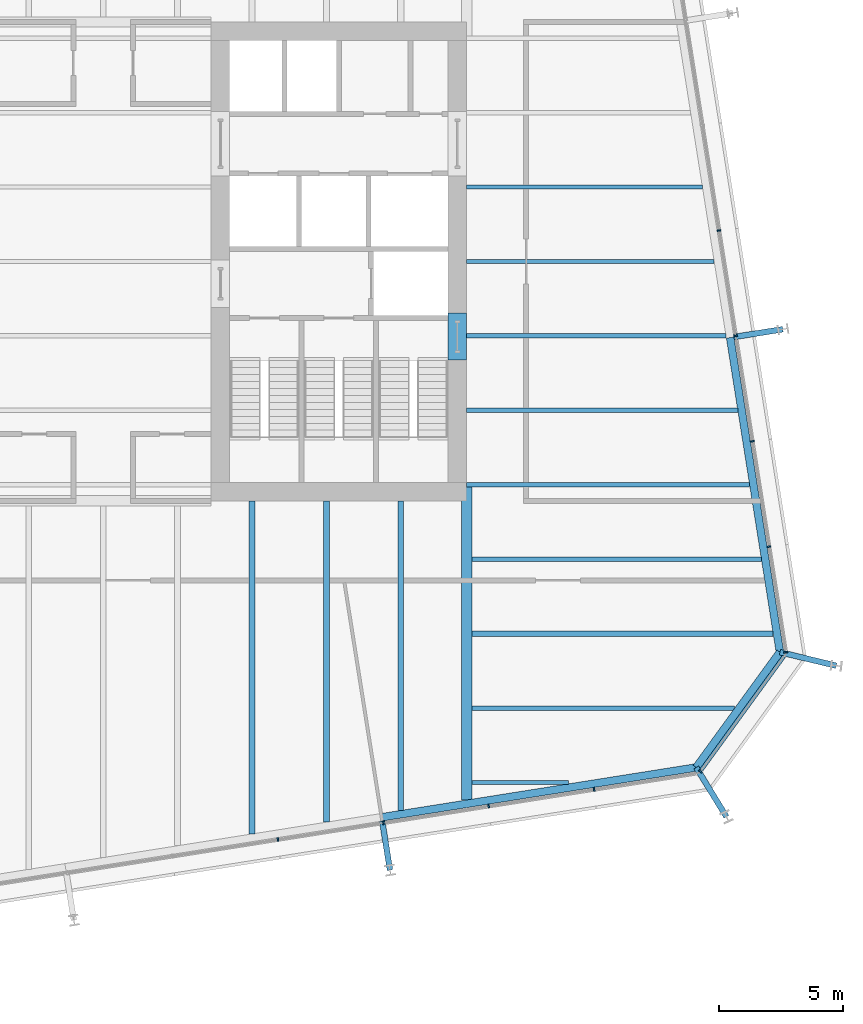
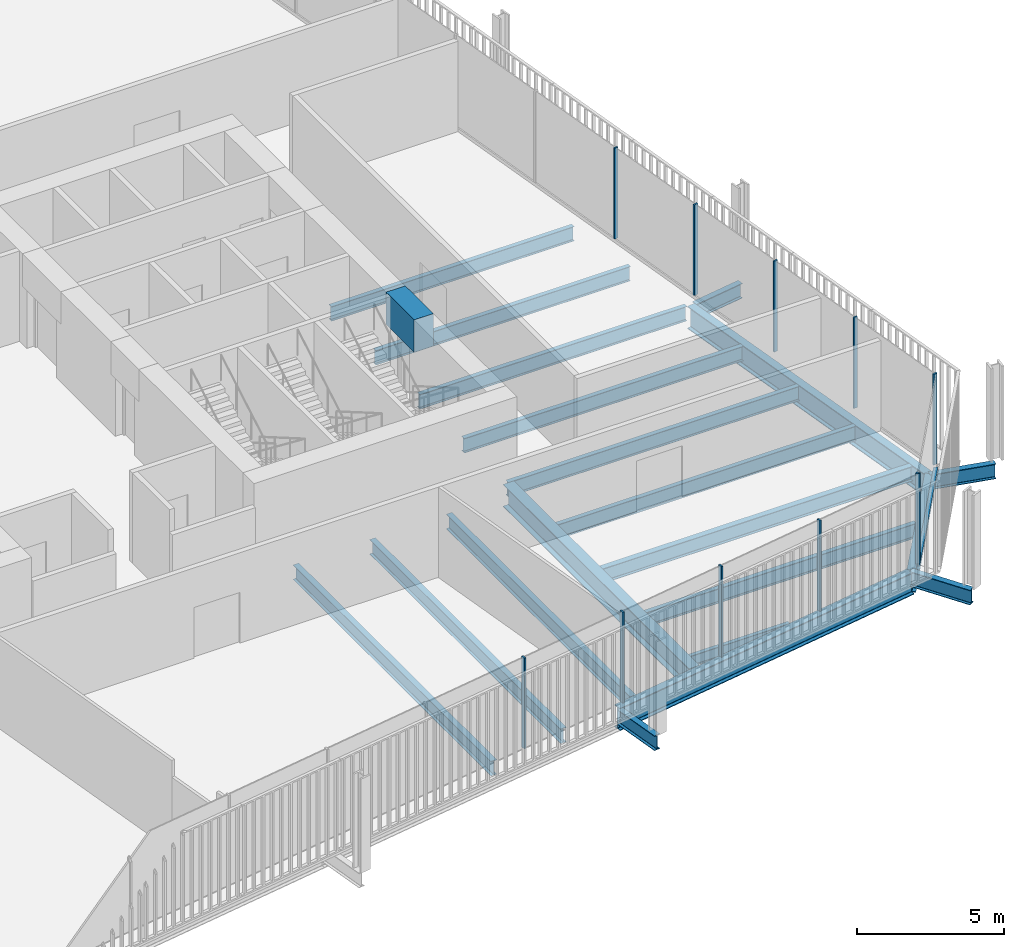
# One storey, part 8 of 21: 21 beams, 11 members, 3 elements without a shape of their own.
"""IFC4 building model written with IfcOpenShell, lengths in metres."""

from ifc_helpers import new_model, si_unit, direction, frame, origin, origin_2d, place, context, subcontext, project, spatial, rectangle, i_section, extrude, material, layer, layer_set, material_profile, profile_set, type_object, element, aggregate, save


model = new_model("IFC4")

# Units and contexts
model_context = context("Model", 3, precision=1e-05, world=origin(), true_north=direction((0.0, 1.0)))
body_context = subcontext(model_context, "Body", "Model", "MODEL_VIEW")
ifc_project = project(units=[si_unit("LENGTHUNIT", "METRE"), si_unit("AREAUNIT", "SQUARE_METRE"), si_unit("VOLUMEUNIT", "CUBIC_METRE"), si_unit("PLANEANGLEUNIT", "RADIAN"), si_unit("MASSUNIT", "GRAM", prefix="KILO")], contexts=[model_context])

# Site, building, storey
site_placement = place(None, origin())
site = spatial("IfcSite", under=ifc_project, at=site_placement, CompositionType="ELEMENT")
building_placement = place(site_placement, origin())
building = spatial("IfcBuilding", under=site, at=building_placement, Name="Millrace Tower", CompositionType="ELEMENT")
storey_placement = place(building_placement, frame((0.0, 0.0, 133.39990234375)))
storey = spatial("IfcBuildingStorey", under=building, at=storey_placement, Name="L29", CompositionType="ELEMENT", Elevation=133.39990234375)

# Curtain wall, members
ifc_material_1 = material(Name="Aluminium and glass", Category="aluminium")
ifc_layer = layer(ifc_material_1, 0.14990234375)
ifc_layer_set = layer_set([ifc_layer], Name="Aluminium and glass")
curtain_wall_type = type_object("IfcCurtainWallType", Name="CW-1 office vision curtain wall", PredefinedType="NOTDEFINED", material=ifc_layer_set)
placement = place(storey_placement, origin())
curtain_wall_1 = element("IfcCurtainWall", 1, at=placement, inside=storey, type_object=curtain_wall_type, Name="Curtain wall C-F02 L29", PredefinedType="NOTDEFINED")
ifc_material_2 = material(Name="Aluminium", Category="aluminium")
ifc_material_profile_1 = material_profile(ifc_material_2, rectangle(XDim=0.06494140625, YDim=0.14990234375, at=origin_2d()))
ifc_profile_set_1 = profile_set([ifc_material_profile_1], Name="Aluminium")
member_type_1 = type_object("IfcMemberType", Name="CW-1 office vision curtain wall mullion", PredefinedType="MULLION", material=ifc_profile_set_1)
member_1_placement = place(storey_placement, frame((7.04345703125, -23.293212890625, 0.14013671875), z_axis=(0.0, 0.0, 1.0), x_axis=(0.98768833929, 0.15643447328, 0.0)))
member_1 = element("IfcMember", 2, at=member_1_placement, type_object=member_type_1, Name="CW1 mullion C-F02.6", PredefinedType="MULLION", context=body_context, shape_type="SweptSolid", body=[
    extrude(rectangle(XDim=0.06494140625, YDim=0.14990234375, at=origin_2d()), origin(), (0.0, 0.0, 1.0), 3.760009765625),
])
member_2_placement = place(storey_placement, frame((11.29052734375, -22.62060546875, 0.14013671875), z_axis=(0.0, 0.0, 1.0), x_axis=(0.98768833929, 0.15643447328, 0.0)))
member_2 = element("IfcMember", 3, at=member_2_placement, type_object=member_type_1, Name="CW1 mullion C-F02.7", PredefinedType="MULLION", context=body_context, shape_type="SweptSolid", body=[
    extrude(rectangle(XDim=0.06494140625, YDim=0.14990234375, at=origin_2d()), origin(), (0.0, 0.0, 1.0), 3.760009765625),
])
member_3_placement = place(storey_placement, frame((15.53759765625, -21.947998046875, 0.14013671875), z_axis=(0.0, 0.0, 1.0), x_axis=(0.98768833929, 0.15643447328, 0.0)))
member_3 = element("IfcMember", 4, at=member_3_placement, type_object=member_type_1, Name="CW1 mullion C-F02.8", PredefinedType="MULLION", context=body_context, shape_type="SweptSolid", body=[
    extrude(rectangle(XDim=0.06494140625, YDim=0.14990234375, at=origin_2d()), origin(), (0.0, 0.0, 1.0), 3.760009765625),
])
member_4_placement = place(storey_placement, frame((19.78466796875, -21.275390625, 0.14013671875), z_axis=(0.0, 0.0, 1.0), x_axis=(0.98768833929, 0.15643447328, 0.0)))
member_4 = element("IfcMember", 5, at=member_4_placement, type_object=member_type_1, Name="CW1 mullion C-F02.9", PredefinedType="MULLION", context=body_context, shape_type="SweptSolid", body=[
    extrude(rectangle(XDim=0.06494140625, YDim=0.14990234375, at=origin_2d()), origin(), (0.0, 0.0, 1.0), 3.760009765625),
])
aggregate(curtain_wall_1, [member_1, member_2, member_3, member_4])

# Curtain wall, member
curtain_wall_2 = element("IfcCurtainWall", 6, at=placement, inside=storey, type_object=curtain_wall_type, Name="Curtain wall C-F03 L29", PredefinedType="NOTDEFINED")
member_5_placement = place(storey_placement, frame((24.06787109375, -20.551513671875, 0.14013671875), z_axis=(0.0, 0.0, 1.0), x_axis=(0.587785269844, 0.809016981623, 0.0)))
member_5 = element("IfcMember", 7, at=member_5_placement, type_object=member_type_1, Name="CW1 mullion C-F03.1", PredefinedType="MULLION", context=body_context, shape_type="SweptSolid", body=[
    extrude(rectangle(XDim=0.06494140625, YDim=0.14990234375, at=origin_2d()), origin(), (0.0, 0.0, 1.0), 3.760009765625),
])

# Curtain wall, members
curtain_wall_3 = element("IfcCurtainWall", 8, at=placement, inside=storey, type_object=curtain_wall_type, Name="Curtain wall C-F04 L29", PredefinedType="NOTDEFINED")
member_6_placement = place(storey_placement, frame((27.506591796875, -15.74169921875, 0.14013671875), z_axis=(0.0, 0.0, 1.0), x_axis=(-0.15643447328, 0.98768833929, 0.0)))
member_6 = element("IfcMember", 9, at=member_6_placement, type_object=member_type_1, Name="CW1 mullion C-F04.1", PredefinedType="MULLION", context=body_context, shape_type="SweptSolid", body=[
    extrude(rectangle(XDim=0.06494140625, YDim=0.14990234375, at=origin_2d()), origin(), (0.0, 0.0, 1.0), 3.760009765625),
])
member_7_placement = place(storey_placement, frame((26.833984375, -11.49462890625, 0.14013671875), z_axis=(0.0, 0.0, 1.0), x_axis=(-0.15643447328, 0.98768833929, 0.0)))
member_7 = element("IfcMember", 10, at=member_7_placement, type_object=member_type_1, Name="CW1 mullion C-F04.2", PredefinedType="MULLION", context=body_context, shape_type="SweptSolid", body=[
    extrude(rectangle(XDim=0.06494140625, YDim=0.14990234375, at=origin_2d()), origin(), (0.0, 0.0, 1.0), 3.760009765625),
])
member_8_placement = place(storey_placement, frame((26.161376953125, -7.24755859375, 0.14013671875), z_axis=(0.0, 0.0, 1.0), x_axis=(-0.15643447328, 0.98768833929, 0.0)))
member_8 = element("IfcMember", 11, at=member_8_placement, type_object=member_type_1, Name="CW1 mullion C-F04.3", PredefinedType="MULLION", context=body_context, shape_type="SweptSolid", body=[
    extrude(rectangle(XDim=0.06494140625, YDim=0.14990234375, at=origin_2d()), origin(), (0.0, 0.0, 1.0), 3.760009765625),
])
member_9_placement = place(storey_placement, frame((25.48876953125, -3.00048828125, 0.14013671875), z_axis=(0.0, 0.0, 1.0), x_axis=(-0.15643447328, 0.98768833929, 0.0)))
member_9 = element("IfcMember", 12, at=member_9_placement, type_object=member_type_1, Name="CW1 mullion C-F04.4", PredefinedType="MULLION", context=body_context, shape_type="SweptSolid", body=[
    extrude(rectangle(XDim=0.06494140625, YDim=0.14990234375, at=origin_2d()), origin(), (0.0, 0.0, 1.0), 3.760009765625),
])
member_10_placement = place(storey_placement, frame((24.81591796875, 1.24658203125, 0.14013671875), z_axis=(0.0, 0.0, 1.0), x_axis=(-0.15643447328, 0.98768833929, 0.0)))
member_10 = element("IfcMember", 13, at=member_10_placement, type_object=member_type_1, Name="CW1 mullion C-F04.5", PredefinedType="MULLION", context=body_context, shape_type="SweptSolid", body=[
    extrude(rectangle(XDim=0.06494140625, YDim=0.14990234375, at=origin_2d()), origin(), (0.0, 0.0, 1.0), 3.760009765625),
])
aggregate(curtain_wall_3, [member_6, member_7, member_8, member_9, member_10])

# Member
ifc_material_3 = material(Name="Aluminium", Category="aluminium")
ifc_material_profile_2 = material_profile(ifc_material_3, rectangle(XDim=0.14990234375, YDim=0.139892578125, at=origin_2d()))
ifc_profile_set_2 = profile_set([ifc_material_profile_2], Name="Aluminium")
member_type_2 = type_object("IfcMemberType", Name="CW-1 office vision curtain wall transom", PredefinedType="USERDEFINED", material=ifc_profile_set_2)
member_11_placement = place(storey_placement, frame((24.107421875, -20.496826171875, 0.070068359375), z_axis=(0.587810581339, 0.808998591139, 0.0), x_axis=(-0.808998591139, 0.587810581339, 0.0)))
member_11 = element("IfcMember", 14, at=member_11_placement, type_object=member_type_2, Name="CW1 transom C-F03.1", ObjectType="TRANSOM", PredefinedType="USERDEFINED", context=body_context, shape_type="SweptSolid", body=[
    extrude(rectangle(XDim=0.14990234375, YDim=0.139892578125, at=origin_2d()), origin(), (0.0, 0.0, 1.0), 5.6689453125),
])

aggregate(curtain_wall_2, [member_5, member_11])

# Beams
ifc_material_4 = material(Name="Concrete C70", Category="concrete")
ifc_material_profile_3 = material_profile(ifc_material_4, rectangle(XDim=0.75, YDim=1.340087890625, at=origin_2d()))
ifc_profile_set_3 = profile_set([ifc_material_profile_3], Name="Concrete C70")
beam_type_1 = type_object("IfcBeamType", Name="Coupling beam 750 x 1340 Concrete C70, 1300 opening", PredefinedType="BEAM", material=ifc_profile_set_3)
beam_1_placement = place(storey_placement, frame((14.27490234375, -2.080078125, 3.070068359375), z_axis=(0.0, -1.0, 0.0), x_axis=(1.0, 0.0, 0.0)))
element("IfcBeam", 15, at=beam_1_placement, inside=storey, type_object=beam_type_1, Name="Coupling beam E L29", PredefinedType="BEAM", context=body_context, shape_type="SweptSolid", body=[
    extrude(rectangle(XDim=0.75, YDim=1.340087890625, at=origin_2d()), origin(), (0.0, 0.0, 1.0), 1.89990234375),
])
ifc_material_5 = material(Name="Steel ASTM A992 Grade 50", Category="steel")
ifc_material_profile_4 = material_profile(ifc_material_5, i_section(OverallWidth=0.15234375, OverallDepth=0.449462890625, WebThickness=0.007568359375, FlangeThickness=0.0107421875, FilletRadius=0.01025390625, at=origin_2d()))
ifc_profile_set_4 = profile_set([ifc_material_profile_4], Name="Steel ASTM A992 Grade 50")
beam_type_2 = type_object("IfcBeamType", Name="Floor beam W18x35", PredefinedType="JOIST", material=ifc_profile_set_4)
beam_2_placement = place(storey_placement, frame((14.859619140625, -21.0, -0.384765625), z_axis=(1.0, 0.0, 0.0), x_axis=(0.0, 1.0, 0.0)))
element("IfcBeam", 16, at=beam_2_placement, inside=storey, type_object=beam_type_2, Name="BM-C-L29-S1-S003", PredefinedType="JOIST", context=body_context, shape_type="SweptSolid", body=[
    extrude(i_section(OverallWidth=0.15234375, OverallDepth=0.449462890625, WebThickness=0.007568359375, FlangeThickness=0.0107421875, FilletRadius=0.01025390625, at=origin_2d()), origin(), (0.0, 0.0, 1.0), 3.9033203125),
])
ifc_material_6 = material(Name="Steel ASTM A992 Grade 50", Category="steel")
ifc_material_profile_5 = material_profile(ifc_material_6, i_section(OverallWidth=0.177978515625, OverallDepth=0.599365234375, WebThickness=0.010009765625, FlangeThickness=0.012939453125, FilletRadius=0.012939453125, at=origin_2d()))
ifc_profile_set_5 = profile_set([ifc_material_profile_5], Name="Steel ASTM A992 Grade 50")
beam_type_3 = type_object("IfcBeamType", Name="Floor beam W24x55", PredefinedType="JOIST", material=ifc_profile_set_5)
beam_3_placement = place(storey_placement, frame((14.64990234375, 0.0, -0.459716796875), z_axis=(1.0, 0.0, 0.0), x_axis=(0.0, 1.0, 0.0)))
element("IfcBeam", 17, at=beam_3_placement, inside=storey, type_object=beam_type_3, Name="BM-C-L29-S1-S021", PredefinedType="JOIST", context=body_context, shape_type="SweptSolid", body=[
    extrude(i_section(OverallWidth=0.177978515625, OverallDepth=0.599365234375, WebThickness=0.010009765625, FlangeThickness=0.012939453125, FilletRadius=0.012939453125, at=origin_2d()), origin(), (0.0, 0.0, 1.0), 9.976318359375),
])
beam_4_placement = place(storey_placement, frame((14.64990234375, 3.0, -0.459716796875), z_axis=(1.0, 0.0, 0.0), x_axis=(0.0, 1.0, 0.0)))
element("IfcBeam", 18, at=beam_4_placement, inside=storey, type_object=beam_type_3, Name="BM-C-L29-S1-S024", PredefinedType="JOIST", context=body_context, shape_type="SweptSolid", body=[
    extrude(i_section(OverallWidth=0.177978515625, OverallDepth=0.599365234375, WebThickness=0.010009765625, FlangeThickness=0.012939453125, FilletRadius=0.012939453125, at=origin_2d()), origin(), (0.0, 0.0, 1.0), 9.501220703125),
])
ifc_material_7 = material(Name="Steel ASTM A992 Grade 50", Category="steel")
ifc_material_profile_6 = material_profile(ifc_material_7, i_section(OverallWidth=0.1787109375, OverallDepth=0.60205078125, WebThickness=0.010986328125, FlangeThickness=0.014892578125, FilletRadius=0.0126953125, at=origin_2d()))
ifc_profile_set_6 = profile_set([ifc_material_profile_6], Name="Steel ASTM A992 Grade 50")
beam_type_4 = type_object("IfcBeamType", Name="Floor beam W24x62", PredefinedType="JOIST", material=ifc_profile_set_6)
beam_5_placement = place(storey_placement, frame((14.859619140625, -12.0, -0.4609375), z_axis=(1.0, 0.0, 0.0), x_axis=(0.0, 1.0, 0.0)))
element("IfcBeam", 19, at=beam_5_placement, inside=storey, type_object=beam_type_4, Name="BM-C-L29-S1-S009", PredefinedType="JOIST", context=body_context, shape_type="SweptSolid", body=[
    extrude(i_section(OverallWidth=0.1787109375, OverallDepth=0.60205078125, WebThickness=0.010986328125, FlangeThickness=0.014892578125, FilletRadius=0.0126953125, at=origin_2d()), origin(), (0.0, 0.0, 1.0), 11.667236328125),
])
beam_6_placement = place(storey_placement, frame((14.64990234375, -9.0, -0.4609375), z_axis=(1.0, 0.0, 0.0), x_axis=(0.0, 1.0, 0.0)))
element("IfcBeam", 20, at=beam_6_placement, inside=storey, type_object=beam_type_4, Name="BM-C-L29-S1-S012", PredefinedType="JOIST", context=body_context, shape_type="SweptSolid", body=[
    extrude(i_section(OverallWidth=0.1787109375, OverallDepth=0.60205078125, WebThickness=0.010986328125, FlangeThickness=0.014892578125, FilletRadius=0.0126953125, at=origin_2d()), origin(), (0.0, 0.0, 1.0), 11.40185546875),
])
beam_7_placement = place(storey_placement, frame((14.64990234375, -6.0, -0.4609375), z_axis=(1.0, 0.0, 0.0), x_axis=(0.0, 1.0, 0.0)))
element("IfcBeam", 21, at=beam_7_placement, inside=storey, type_object=beam_type_4, Name="BM-C-L29-S1-S015", PredefinedType="JOIST", context=body_context, shape_type="SweptSolid", body=[
    extrude(i_section(OverallWidth=0.1787109375, OverallDepth=0.60205078125, WebThickness=0.010986328125, FlangeThickness=0.014892578125, FilletRadius=0.0126953125, at=origin_2d()), origin(), (0.0, 0.0, 1.0), 10.9267578125),
])
beam_8_placement = place(storey_placement, frame((14.64990234375, -3.0, -0.4609375), z_axis=(1.0, 0.0, 0.0), x_axis=(0.0, 1.0, 0.0)))
element("IfcBeam", 22, at=beam_8_placement, inside=storey, type_object=beam_type_4, Name="BM-C-L29-S1-S018", PredefinedType="JOIST", context=body_context, shape_type="SweptSolid", body=[
    extrude(i_section(OverallWidth=0.1787109375, OverallDepth=0.60205078125, WebThickness=0.010986328125, FlangeThickness=0.014892578125, FilletRadius=0.0126953125, at=origin_2d()), origin(), (0.0, 0.0, 1.0), 10.45166015625),
])
beam_9_placement = place(storey_placement, frame((14.859619140625, -18.0, -0.4609375), z_axis=(1.0, 0.0, 0.0), x_axis=(0.0, 1.0, 0.0)))
element("IfcBeam", 23, at=beam_9_placement, inside=storey, type_object=beam_type_4, Name="BM-C-L29-S1-S005", PredefinedType="JOIST", context=body_context, shape_type="SweptSolid", body=[
    extrude(i_section(OverallWidth=0.1787109375, OverallDepth=0.60205078125, WebThickness=0.010986328125, FlangeThickness=0.014892578125, FilletRadius=0.0126953125, at=origin_2d()), origin(), (0.0, 0.0, 1.0), 10.577392578125),
])
ifc_material_8 = material(Name="Steel ASTM A992 Grade 50", Category="steel")
ifc_material_profile_7 = material_profile(ifc_material_8, i_section(OverallWidth=0.228271484375, OverallDepth=0.607177734375, WebThickness=0.01123046875, FlangeThickness=0.017333984375, FilletRadius=0.0126953125, at=origin_2d()))
ifc_profile_set_7 = profile_set([ifc_material_profile_7], Name="Steel ASTM A992 Grade 50")
beam_type_5 = type_object("IfcBeamType", Name="Floor beam W24x76", PredefinedType="JOIST", material=ifc_profile_set_7)
beam_10_placement = place(storey_placement, frame((14.859619140625, -15.0, -0.46337890625), z_axis=(1.0, 0.0, 0.0), x_axis=(0.0, 1.0, 0.0)))
element("IfcBeam", 24, at=beam_10_placement, inside=storey, type_object=beam_type_5, Name="BM-C-L29-S1-S007", PredefinedType="JOIST", context=body_context, shape_type="SweptSolid", body=[
    extrude(i_section(OverallWidth=0.228271484375, OverallDepth=0.607177734375, WebThickness=0.01123046875, FlangeThickness=0.017333984375, FilletRadius=0.0126953125, at=origin_2d()), origin(), (0.0, 0.0, 1.0), 12.142578125),
])
beam_11_placement = place(storey_placement, frame((6.0, -23.071533203125, -0.46337890625), z_axis=(0.0, 1.0, 0.0), x_axis=(-1.0, 0.0, 0.0)))
element("IfcBeam", 25, at=beam_11_placement, inside=storey, type_object=beam_type_5, Name="BM-C-L29-S1-S052", PredefinedType="JOIST", context=body_context, shape_type="SweptSolid", body=[
    extrude(i_section(OverallWidth=0.228271484375, OverallDepth=0.607177734375, WebThickness=0.01123046875, FlangeThickness=0.017333984375, FilletRadius=0.0126953125, at=origin_2d()), origin(), (0.0, 0.0, 1.0), 13.421630859375),
])
beam_12_placement = place(storey_placement, frame((9.0, -22.596435546875, -0.46337890625), z_axis=(0.0, 1.0, 0.0), x_axis=(-1.0, 0.0, 0.0)))
element("IfcBeam", 26, at=beam_12_placement, inside=storey, type_object=beam_type_5, Name="BM-C-L29-S1-S054", PredefinedType="JOIST", context=body_context, shape_type="SweptSolid", body=[
    extrude(i_section(OverallWidth=0.228271484375, OverallDepth=0.607177734375, WebThickness=0.01123046875, FlangeThickness=0.017333984375, FilletRadius=0.0126953125, at=origin_2d()), origin(), (0.0, 0.0, 1.0), 12.946533203125),
])
beam_13_placement = place(storey_placement, frame((12.0, -22.12109375, -0.46337890625), z_axis=(0.0, 1.0, 0.0), x_axis=(-1.0, 0.0, 0.0)))
element("IfcBeam", 27, at=beam_13_placement, inside=storey, type_object=beam_type_5, Name="BM-C-L29-S1-S056", PredefinedType="JOIST", context=body_context, shape_type="SweptSolid", body=[
    extrude(i_section(OverallWidth=0.228271484375, OverallDepth=0.607177734375, WebThickness=0.01123046875, FlangeThickness=0.017333984375, FilletRadius=0.0126953125, at=origin_2d()), origin(), (0.0, 0.0, 1.0), 12.47119140625),
])
ifc_material_9 = material(Name="Steel ASTM A992 Grade 50", Category="steel")
ifc_material_profile_8 = material_profile(ifc_material_9, i_section(OverallWidth=0.419189453125, OverallDepth=0.927001953125, WebThickness=0.019287109375, FlangeThickness=0.031982421875, FilletRadius=0.024169921875, at=origin_2d()))
ifc_profile_set_8 = profile_set([ifc_material_profile_8], Name="Steel ASTM A992 Grade 50")
beam_type_6 = type_object("IfcBeamType", Name="Girder medium span W36x231", PredefinedType="BEAM", material=ifc_profile_set_8)
beam_14_placement = place(storey_placement, frame((14.64990234375, -21.693603515625, -0.62353515625), z_axis=(0.0, 1.0, 0.0), x_axis=(-1.0, 0.0, 0.0)))
element("IfcBeam", 28, at=beam_14_placement, inside=storey, type_object=beam_type_6, Name="BM-C-L29-S1-G060", PredefinedType="BEAM", context=body_context, shape_type="SweptSolid", body=[
    extrude(i_section(OverallWidth=0.419189453125, OverallDepth=0.927001953125, WebThickness=0.019287109375, FlangeThickness=0.031982421875, FilletRadius=0.024169921875, at=origin_2d()), origin(), (0.0, 0.0, 1.0), 12.603515625),
])
ifc_material_10 = material(Name="Steel ASTM A992 Grade 50", Category="steel")
ifc_material_profile_9 = material_profile(ifc_material_10, i_section(OverallWidth=0.23046875, OverallDepth=0.6171875, WebThickness=0.01318359375, FlangeThickness=0.022216796875, FilletRadius=0.012939453125, at=origin_2d()))
ifc_profile_set_9 = profile_set([ifc_material_profile_9], Name="Steel ASTM A992 Grade 50")
beam_type_7 = type_object("IfcBeamType", Name="Link beam W24x94", PredefinedType="BEAM", material=ifc_profile_set_9)
beam_15_placement = place(storey_placement, frame((25.419677734375, -3.04443359375, -0.468505859375), z_axis=(0.987678691416, 0.156495375404, 0.0), x_axis=(-0.156495375404, 0.987678691416, 0.0)))
element("IfcBeam", 29, at=beam_15_placement, inside=storey, type_object=beam_type_7, Name="LNK-C-L29-S1-11", PredefinedType="BEAM", context=body_context, shape_type="SweptSolid", body=[
    extrude(i_section(OverallWidth=0.23046875, OverallDepth=0.6171875, WebThickness=0.01318359375, FlangeThickness=0.022216796875, FilletRadius=0.012939453125, at=origin_2d()), origin(), (0.0, 0.0, 1.0), 2.0),
])
beam_16_placement = place(storey_placement, frame((27.27587890625, -15.746826171875, -0.468505859375), z_axis=(0.972373041068, -0.233432364948, 0.0), x_axis=(0.233432364948, 0.972373041068, 0.0)))
element("IfcBeam", 30, at=beam_16_placement, inside=storey, type_object=beam_type_7, Name="LNK-C-L29-S1-12", PredefinedType="BEAM", context=body_context, shape_type="SweptSolid", body=[
    extrude(i_section(OverallWidth=0.23046875, OverallDepth=0.6171875, WebThickness=0.01318359375, FlangeThickness=0.022216796875, FilletRadius=0.012939453125, at=origin_2d()), origin(), (0.0, 0.0, 1.0), 2.331298828125),
])
beam_17_placement = place(storey_placement, frame((23.901123046875, -20.391845703125, -0.468505859375), z_axis=(0.522512938711, -0.852631355792, 0.0), x_axis=(0.852631355792, 0.522512938711, 0.0)))
element("IfcBeam", 31, at=beam_17_placement, inside=storey, type_object=beam_type_7, Name="LNK-C-L29-S1-13", PredefinedType="BEAM", context=body_context, shape_type="SweptSolid", body=[
    extrude(i_section(OverallWidth=0.23046875, OverallDepth=0.6171875, WebThickness=0.01318359375, FlangeThickness=0.022216796875, FilletRadius=0.012939453125, at=origin_2d()), origin(), (0.0, 0.0, 1.0), 2.3310546875),
])
beam_18_placement = place(storey_placement, frame((11.246826171875, -22.5517578125, -0.468505859375), z_axis=(0.15637629034, -0.987697552806, 0.0), x_axis=(0.987697552806, 0.15637629034, 0.0)))
element("IfcBeam", 32, at=beam_18_placement, inside=storey, type_object=beam_type_7, Name="LNK-C-L29-S1-14", PredefinedType="BEAM", context=body_context, shape_type="SweptSolid", body=[
    extrude(i_section(OverallWidth=0.23046875, OverallDepth=0.6171875, WebThickness=0.01318359375, FlangeThickness=0.022216796875, FilletRadius=0.012939453125, at=origin_2d()), origin(), (0.0, 0.0, 1.0), 2.0),
])
ifc_material_11 = material(Name="Steel ASTM A992 Grade 50", Category="steel")
ifc_material_profile_10 = material_profile(ifc_material_11, i_section(OverallWidth=0.307373046875, OverallDepth=0.927001953125, WebThickness=0.01953125, FlangeThickness=0.031982421875, FilletRadius=0.01904296875, at=origin_2d()))
ifc_profile_set_10 = profile_set([ifc_material_profile_10], Name="Steel ASTM A992 Grade 50")
beam_type_8 = type_object("IfcBeamType", Name="Ring beam medium span W36x194", PredefinedType="SPANDREL", material=ifc_profile_set_10)
for number, where, z_axis, x_axis, name in (
    (33, (25.267822265625, -3.068359375, -0.62353515625), (0.15643330783, -0.987688523879, 0.0), (0.987688523879, 0.15643330783, 0.0), "RNG-C-L29-S1-11"),
    (34, (23.901123046875, -20.391845703125, -0.62353515625), (-0.987688523879, -0.15643330783, 0.0), (0.15643330783, -0.987688523879, 0.0), "RNG-C-L29-S1-13"),
):
    element("IfcBeam", number, at=place(storey_placement, frame(where, z_axis=z_axis, x_axis=x_axis)), inside=storey, type_object=beam_type_8, Name=name, PredefinedType="SPANDREL", context=body_context, shape_type="SweptSolid", body=[
        extrude(i_section(OverallWidth=0.307373046875, OverallDepth=0.927001953125, WebThickness=0.01953125, FlangeThickness=0.031982421875, FilletRadius=0.01904296875, at=origin_2d()), origin(), (0.0, 0.0, 1.0), 12.83642578125),
    ])
ifc_material_12 = material(Name="Steel ASTM A992 Grade 50", Category="steel")
ifc_material_profile_11 = material_profile(ifc_material_12, i_section(OverallWidth=0.307373046875, OverallDepth=0.927001953125, WebThickness=0.01953125, FlangeThickness=0.031982421875, FilletRadius=0.01904296875, at=origin_2d()))
ifc_profile_set_11 = profile_set([ifc_material_profile_11], Name="Steel ASTM A992 Grade 50")
beam_type_9 = type_object("IfcBeamType", Name="Ring beam short span W36x194", PredefinedType="SPANDREL", material=ifc_profile_set_11)
beam_19_placement = place(storey_placement, frame((27.27587890625, -15.746826171875, -0.62353515625), z_axis=(-0.58777973792, -0.809021000772, 0.0), x_axis=(0.809021000772, -0.58777973792, 0.0)))
element("IfcBeam", 35, at=beam_19_placement, inside=storey, type_object=beam_type_9, Name="RNG-C-L29-S1-12", PredefinedType="SPANDREL", context=body_context, shape_type="SweptSolid", body=[
    extrude(i_section(OverallWidth=0.307373046875, OverallDepth=0.927001953125, WebThickness=0.01953125, FlangeThickness=0.031982421875, FilletRadius=0.01904296875, at=origin_2d()), origin(), (0.0, 0.0, 1.0), 5.741455078125),
])

save(model, "model.ifc")
